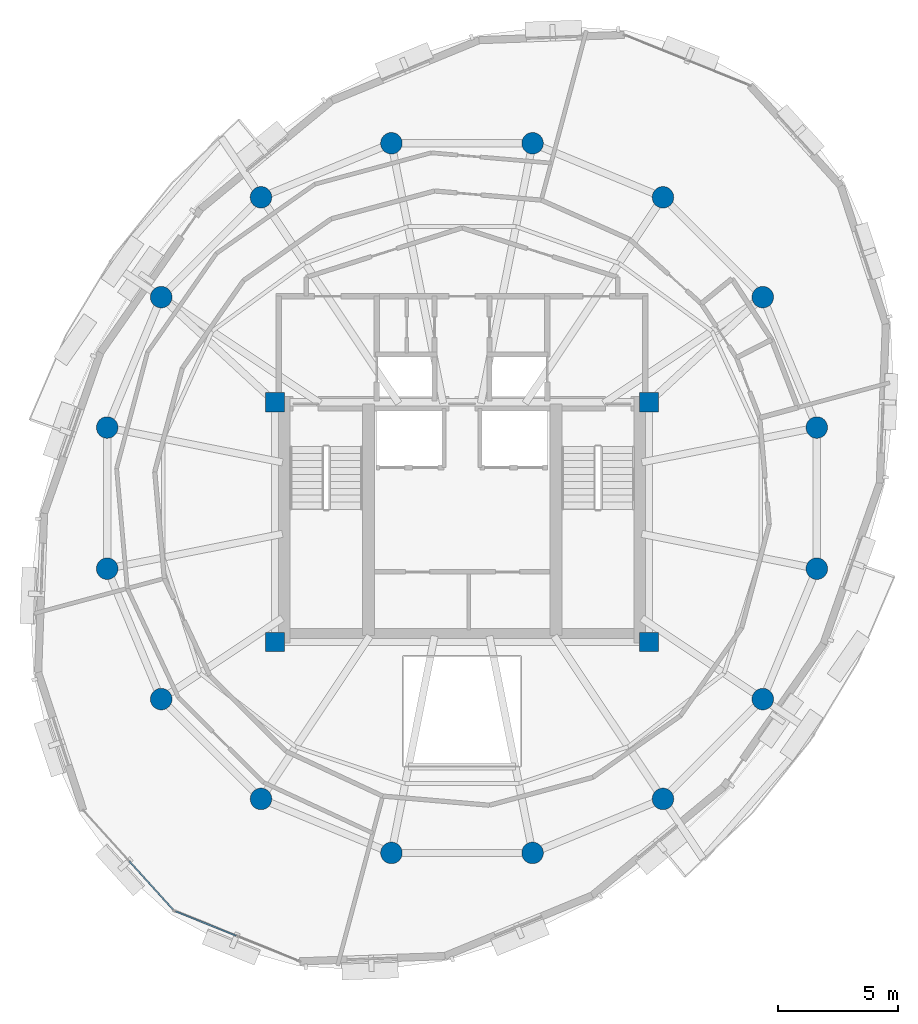
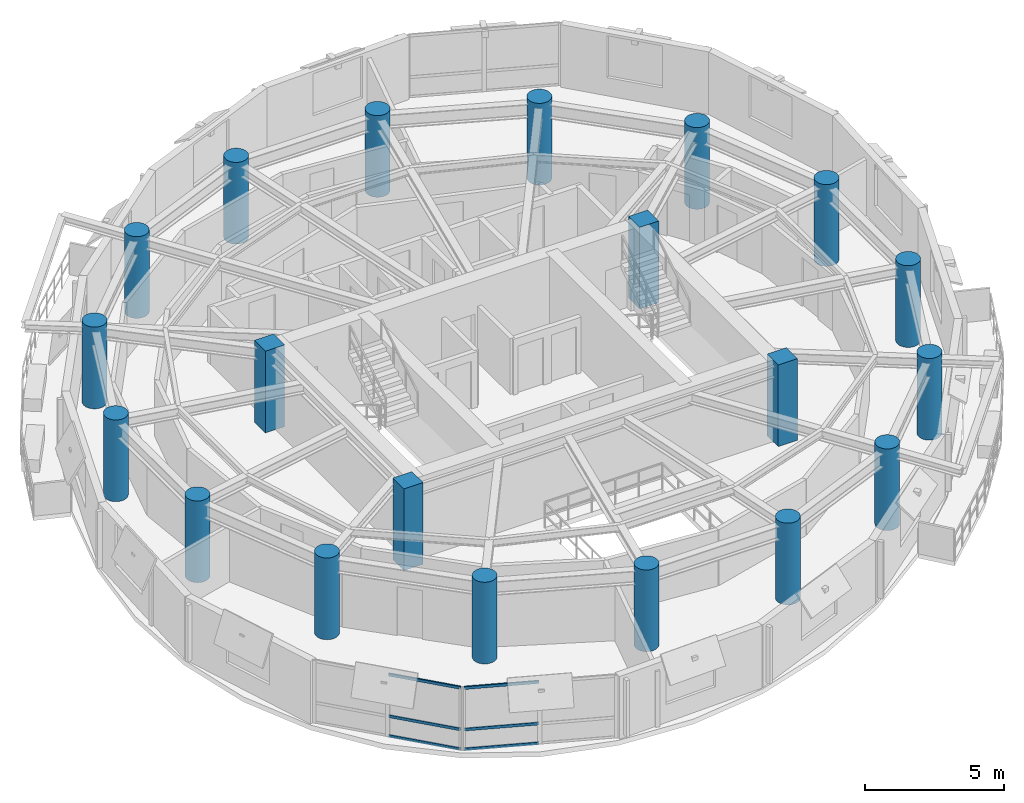
# One storey, part 1 of 11: 20 columns, 6 members, 2 elements without a shape of their own.
"""IFC4 building model written with IfcOpenShell, lengths in metres."""

from ifc_helpers import new_model, si_unit, direction, frame, origin, origin_2d, place, context, subcontext, project, spatial, rectangle, hollow_rectangle, circle, extrude, material, layer, layer_set, material_profile, profile_set, type_object, element, aggregate, save


model = new_model("IFC4")

# Units and contexts
model_context = context("Model", 3, precision=1e-05, world=origin(), true_north=direction((0.0, 1.0)))
body_context = subcontext(model_context, "Body", "Model", "MODEL_VIEW")
ifc_project = project(units=[si_unit("LENGTHUNIT", "METRE"), si_unit("AREAUNIT", "SQUARE_METRE"), si_unit("VOLUMEUNIT", "CUBIC_METRE"), si_unit("PLANEANGLEUNIT", "RADIAN"), si_unit("MASSUNIT", "GRAM", prefix="KILO"), si_unit("THERMODYNAMICTEMPERATUREUNIT", "KELVIN"), si_unit("POWERUNIT", "WATT")], contexts=[model_context])

# Site, building, storey
site_placement = place(None, origin())
site = spatial("IfcSite", under=ifc_project, at=site_placement, CompositionType="ELEMENT")
building_placement = place(site_placement, origin())
building = spatial("IfcBuilding", under=site, at=building_placement, Name="Ocrelia Relay Tower", CompositionType="ELEMENT")
storey_placement = place(building_placement, frame((0.0, 0.0, 259.199951171875)))
storey = spatial("IfcBuildingStorey", under=building, at=storey_placement, Name="L64", CompositionType="ELEMENT", Elevation=259.199951171875)

# Columns
ifc_material_1 = material(Name="Concrete C50/60", Category="concrete")
ifc_material_profile_1 = material_profile(ifc_material_1, circle(Radius=0.449951171875, at=origin_2d()), Name="RC-CIR-900")
ifc_profile_set_1 = profile_set([ifc_material_profile_1], Name="Concrete C50/60")
column_type_1 = type_object("IfcColumnType", Name="COL-CT-900", PredefinedType="COLUMN", material=ifc_profile_set_1)
for number, where, z_axis, x_axis, name in (
    (1, (48.809814453125, 28.94580078125, 0.0), (0.0, 0.0, 1.0), (1.0, 0.0, 0.0), "L64 Perimeter Ring Column C01"),
    (2, (46.55517578125, 34.38916015625, 0.0), (0.0, 0.0, 1.0), (1.0, 0.0, 0.0), "L64 Perimeter Ring Column C02"),
    (3, (42.38916015625, 38.55517578125, 0.0), (0.0, 0.0, 1.0), (1.0, 0.0, 0.0), "L64 Perimeter Ring Column C03"),
    (4, (36.94580078125, 40.809814453125, 0.0), (0.0, 0.0, 1.0), (1.0, 0.0, 0.0), "L64 Perimeter Ring Column C04"),
    (5, (31.05419921875, 40.809814453125, 0.0), (0.0, 0.0, 1.0), (1.0, 0.0, 0.0), "L64 Perimeter Ring Column C05"),
    (6, (25.61083984375, 38.55517578125, 0.0), (0.0, 0.0, 1.0), (1.0, 0.0, 0.0), "L64 Perimeter Ring Column C06"),
    (7, (21.44482421875, 34.38916015625, 0.0), (0.0, 0.0, 1.0), (1.0, 0.0, 0.0), "L64 Perimeter Ring Column C07"),
    (8, (19.190185546875, 28.94580078125, 0.0), (0.0, 0.0, 1.0), (1.0, 0.0, 0.0), "L64 Perimeter Ring Column C08"),
    (9, (19.190185546875, 23.05419921875, 0.0), (0.0, 0.0, 1.0), (1.0, 0.0, 0.0), "L64 Perimeter Ring Column C09"),
    (10, (21.44482421875, 17.61083984375, 0.0), (0.0, 0.0, 1.0), (1.0, 0.0, 0.0), "L64 Perimeter Ring Column C10"),
    (11, (25.61083984375, 13.44482421875, 0.0), (0.0, 0.0, 1.0), (1.0, 0.0, 0.0), "L64 Perimeter Ring Column C11"),
    (12, (31.05419921875, 11.190185546875, 0.0), (0.0, 0.0, 1.0), (1.0, 0.0, 0.0), "L64 Perimeter Ring Column C12"),
    (13, (36.94580078125, 11.190185546875, 0.0), (0.0, 0.0, 1.0), (1.0, 0.0, 0.0), "L64 Perimeter Ring Column C13"),
    (14, (42.38916015625, 13.44482421875, 0.0), (0.0, 0.0, 1.0), (1.0, 0.0, 0.0), "L64 Perimeter Ring Column C14"),
    (15, (46.55517578125, 17.61083984375, 0.0), (0.0, 0.0, 1.0), (1.0, 0.0, 0.0), "L64 Perimeter Ring Column C15"),
    (16, (48.809814453125, 23.05419921875, 0.0), (0.0, 0.0, 1.0), (1.0, 0.0, 0.0), "L64 Perimeter Ring Column C16"),
):
    element("IfcColumn", number, at=place(storey_placement, frame(where, z_axis=z_axis, x_axis=x_axis)), inside=storey, type_object=column_type_1, Name=name, PredefinedType="COLUMN", context=body_context, shape_type="SweptSolid", body=[
        extrude(circle(Radius=0.449951171875, at=origin_2d()), origin(), (0.0, 0.0, 1.0), 3.60009765625),
    ])
ifc_material_2 = material(Name="Concrete C60/75", Category="concrete")
ifc_material_profile_2 = material_profile(ifc_material_2, rectangle(XDim=0.800048828125, YDim=0.800048828125, at=origin_2d()), Name="RC-COL-800x800")
ifc_profile_set_2 = profile_set([ifc_material_profile_2], Name="Concrete C60/75")
column_type_2 = type_object("IfcColumnType", Name="COL-PILASTER-800", PredefinedType="PILASTER", material=ifc_profile_set_2)
for number, where, z_axis, x_axis, name in (
    (17, (26.199951171875, 20.0, 0.0), (0.0, 0.0, 1.0), (1.0, 0.0, 0.0), "L64 Core Corner Pilaster SW"),
    (18, (41.800048828125, 20.0, 0.0), (0.0, 0.0, 1.0), (1.0, 0.0, 0.0), "L64 Core Corner Pilaster SE"),
    (19, (26.199951171875, 30.0, 0.0), (0.0, 0.0, 1.0), (1.0, 0.0, 0.0), "L64 Core Corner Pilaster NW"),
    (20, (41.800048828125, 30.0, 0.0), (0.0, 0.0, 1.0), (1.0, 0.0, 0.0), "L64 Core Corner Pilaster NE"),
):
    element("IfcColumn", number, at=place(storey_placement, frame(where, z_axis=z_axis, x_axis=x_axis)), inside=storey, type_object=column_type_2, Name=name, PredefinedType="PILASTER", context=body_context, shape_type="SweptSolid", body=[
        extrude(rectangle(XDim=0.800048828125, YDim=0.800048828125, at=origin_2d()), origin(), (0.0, 0.0, 1.0), 3.60009765625),
    ])

# Curtain wall, members
ifc_material_3 = material(Name="Aluminium and solar-control low-E glass", Category="aluminium")
ifc_layer = layer(ifc_material_3, 0.179931640625, Name="Aluminium and solar-control low-E glass")
ifc_layer_set = layer_set([ifc_layer], Name="Aluminium and solar-control low-E glass")
curtain_wall_type = type_object("IfcCurtainWallType", Name="CW-SYS-Z4-EXEC", PredefinedType="NOTDEFINED", material=ifc_layer_set)
curtain_wall_1_placement = place(storey_placement, origin())
curtain_wall_1 = element("IfcCurtainWall", 21, at=curtain_wall_1_placement, inside=storey, type_object=curtain_wall_type, Name="L64 Elliptical Tower Curtain Wall Bay 09", PredefinedType="NOTDEFINED")
ifc_material_4 = material(Name="Anodised bronze aluminium", Category="aluminium")
ifc_material_profile_3 = material_profile(ifc_material_4, hollow_rectangle(XDim=0.06005859375, YDim=0.1201171875, WallThickness=0.0048828125, at=origin_2d()), Name="CW-TRN-120x60")
ifc_profile_set_3 = profile_set([ifc_material_profile_3], Name="Anodised bronze aluminium")
member_type = type_object("IfcMemberType", Name="CW-SYS-Z4-EXEC-TRN", PredefinedType="USERDEFINED", material=ifc_profile_set_3)
member_1_placement = place(storey_placement, frame((20.11083984375, 10.847412109375, 0.030029296875), z_axis=(0.671009406497, -0.741448835991, 0.0), x_axis=(0.741448835991, 0.671009406497, 0.0)))
member_1 = element("IfcMember", 22, at=member_1_placement, type_object=member_type, Name="CW-Z4 transom 2.1", ObjectType="TRANSOM", PredefinedType="USERDEFINED", context=body_context, shape_type="SweptSolid", body=[
    extrude(hollow_rectangle(XDim=0.06005859375, YDim=0.1201171875, WallThickness=0.0048828125, at=origin_2d()), origin(), (0.0, 0.0, 1.0), 2.727783203125),
])
member_2_placement = place(storey_placement, frame((20.11083984375, 10.847412109375, 0.900146484375), z_axis=(0.671009406497, -0.741448835991, 0.0), x_axis=(0.741448835991, 0.671009406497, 0.0)))
member_2 = element("IfcMember", 23, at=member_2_placement, type_object=member_type, Name="CW-Z4 transom 2.2", ObjectType="TRANSOM", PredefinedType="USERDEFINED", context=body_context, shape_type="SweptSolid", body=[
    extrude(hollow_rectangle(XDim=0.06005859375, YDim=0.1201171875, WallThickness=0.0048828125, at=origin_2d()), origin(), (0.0, 0.0, 1.0), 2.727783203125),
])
member_3_placement = place(storey_placement, frame((20.11083984375, 10.847412109375, 2.72998046875), z_axis=(0.671009406497, -0.741448835991, 0.0), x_axis=(0.741448835991, 0.671009406497, 0.0)))
member_3 = element("IfcMember", 24, at=member_3_placement, type_object=member_type, Name="CW-Z4 transom 2.3", ObjectType="TRANSOM", PredefinedType="USERDEFINED", context=body_context, shape_type="SweptSolid", body=[
    extrude(hollow_rectangle(XDim=0.06005859375, YDim=0.1201171875, WallThickness=0.0048828125, at=origin_2d()), origin(), (0.0, 0.0, 1.0), 2.727783203125),
])
aggregate(curtain_wall_1, [member_1, member_2, member_3])

curtain_wall_2_placement = place(storey_placement, origin())
curtain_wall_2 = element("IfcCurtainWall", 25, at=curtain_wall_2_placement, inside=storey, type_object=curtain_wall_type, Name="L64 Elliptical Tower Curtain Wall Bay 10", PredefinedType="NOTDEFINED")
member_4_placement = place(storey_placement, frame((22.045166015625, 8.75244140625, 0.030029296875), z_axis=(0.927554088955, -0.373688924191, 0.0), x_axis=(0.373688924191, 0.927554088955, 0.0)))
member_4 = element("IfcMember", 26, at=member_4_placement, type_object=member_type, Name="CW-Z4 transom 1.1", ObjectType="TRANSOM", PredefinedType="USERDEFINED", context=body_context, shape_type="SweptSolid", body=[
    extrude(hollow_rectangle(XDim=0.06005859375, YDim=0.1201171875, WallThickness=0.0048828125, at=origin_2d()), origin(), (0.0, 0.0, 1.0), 2.7275390625),
])
member_5_placement = place(storey_placement, frame((22.045166015625, 8.75244140625, 0.900146484375), z_axis=(0.927554088955, -0.373688924191, 0.0), x_axis=(0.373688924191, 0.927554088955, 0.0)))
member_5 = element("IfcMember", 27, at=member_5_placement, type_object=member_type, Name="CW-Z4 transom 1.2", ObjectType="TRANSOM", PredefinedType="USERDEFINED", context=body_context, shape_type="SweptSolid", body=[
    extrude(hollow_rectangle(XDim=0.06005859375, YDim=0.1201171875, WallThickness=0.0048828125, at=origin_2d()), origin(), (0.0, 0.0, 1.0), 2.7275390625),
])
member_6_placement = place(storey_placement, frame((22.045166015625, 8.75244140625, 2.72998046875), z_axis=(0.927554088955, -0.373688924191, 0.0), x_axis=(0.373688924191, 0.927554088955, 0.0)))
member_6 = element("IfcMember", 28, at=member_6_placement, type_object=member_type, Name="CW-Z4 transom 1.3", ObjectType="TRANSOM", PredefinedType="USERDEFINED", context=body_context, shape_type="SweptSolid", body=[
    extrude(hollow_rectangle(XDim=0.06005859375, YDim=0.1201171875, WallThickness=0.0048828125, at=origin_2d()), origin(), (0.0, 0.0, 1.0), 2.7275390625),
])
aggregate(curtain_wall_2, [member_4, member_5, member_6])

save(model, "model.ifc")
